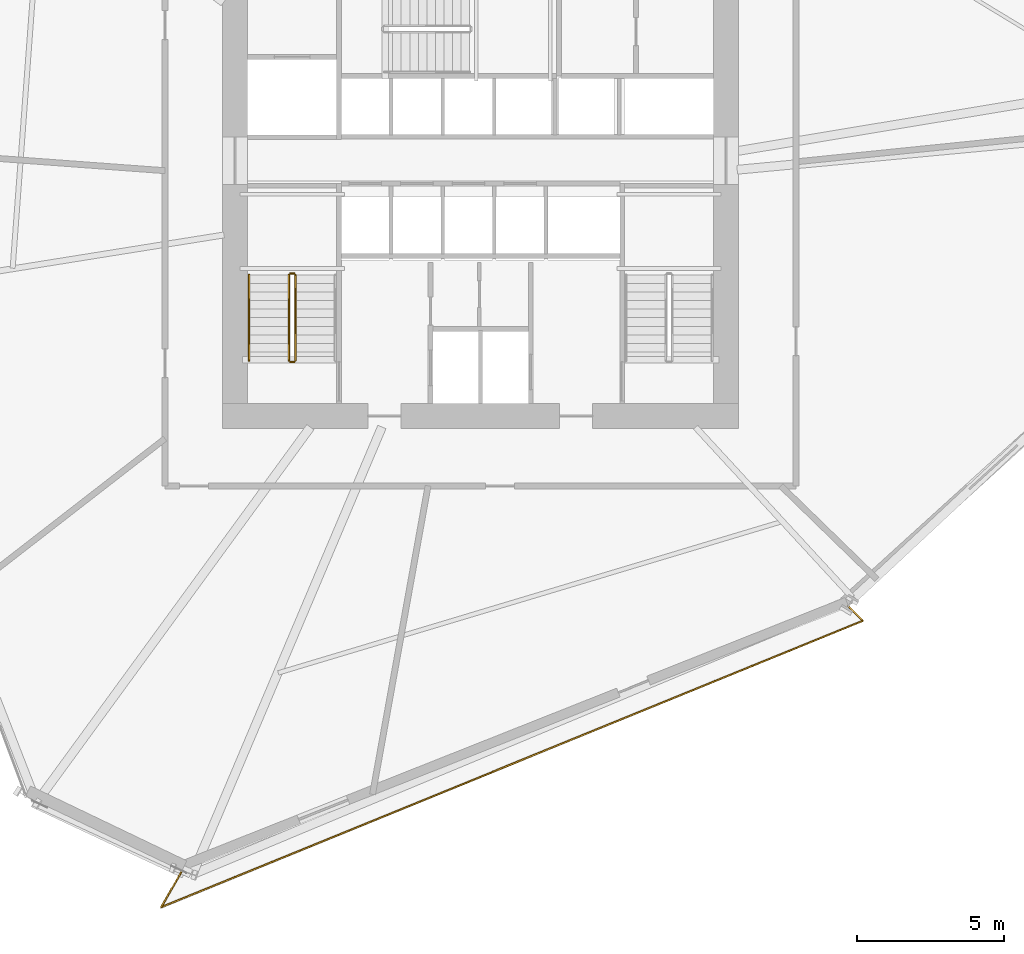
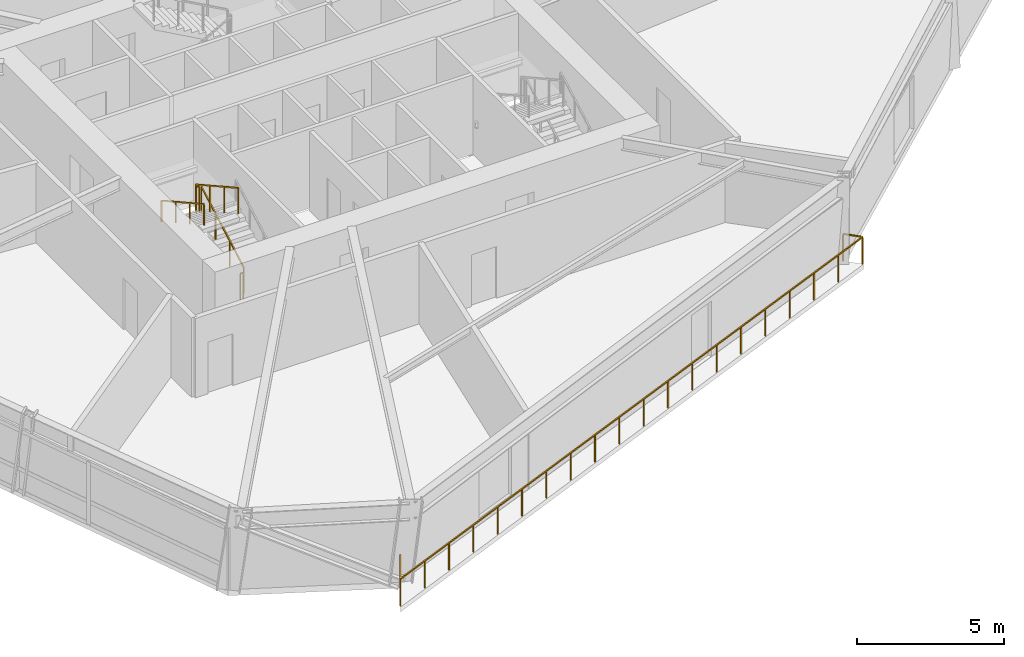
# One storey, part 18 of 21: 6 railings.
"""IFC4 building model written with IfcOpenShell, lengths in metres."""

from ifc_helpers import new_model, si_unit, direction, frame, origin, origin_2d, place, context, subcontext, project, spatial, rectangle, extrude, material, type_object, element, save


model = new_model("IFC4")

# Units and contexts
model_context = context("Model", 3, precision=1e-05, world=origin(), true_north=direction((0.0, 1.0)))
body_context = subcontext(model_context, "Body", "Model", "MODEL_VIEW")
ifc_project = project(units=[si_unit("LENGTHUNIT", "METRE"), si_unit("AREAUNIT", "SQUARE_METRE"), si_unit("VOLUMEUNIT", "CUBIC_METRE"), si_unit("PLANEANGLEUNIT", "RADIAN"), si_unit("MASSUNIT", "GRAM", prefix="KILO")], contexts=[model_context])

# Site, building, storey
site_placement = place(None, origin())
site = spatial("IfcSite", under=ifc_project, at=site_placement, CompositionType="ELEMENT")
building_placement = place(site_placement, origin())
building = spatial("IfcBuilding", under=site, at=building_placement, Name="Olszyna Solenne Hotel", CompositionType="ELEMENT")
storey_placement = place(building_placement, frame((0.0, 0.0, 68.35009765625)))
storey = spatial("IfcBuildingStorey", under=building, at=storey_placement, Name="L17", CompositionType="ELEMENT", Elevation=68.35009765625)

# Railings
ifc_material_1 = material(Name="Anodised bronze aluminium", Category="aluminium")
railing_type_1 = type_object("IfcRailingType", Name="GR-110", PredefinedType="BALUSTRADE", material=ifc_material_1)
railing_1_placement = place(storey_placement, frame((27.87451171875, 3.642578125, 0.0)))
element("IfcRailing", 1, at=railing_1_placement, inside=storey, type_object=railing_type_1, Name="Loggia balcony balustrade guard GR-L17-LG3", PredefinedType="BALUSTRADE", context=body_context, shape_type="SweptSolid", body=[
    extrude(rectangle(XDim=0.048095703125, YDim=0.048095703125, at=origin_2d()), frame((0.0, 0.0, 1.1259765625), z_axis=(-0.496157471835, -0.868232551303, 0.0), x_axis=(0.868232551303, -0.496157471835, 0.0)), (0.0, 0.0, 1.0), 1.418701171875),
    extrude(rectangle(XDim=0.048095703125, YDim=0.048095703125, at=origin_2d()), frame((-0.703857421875, -1.231689453125, 1.1259765625), z_axis=(0.925778026906, 0.378067513677, 0.0), x_axis=(-0.378067513677, 0.925778026906, 0.0)), (0.0, 0.0, 1.0), 25.697265625),
    extrude(rectangle(XDim=0.048095703125, YDim=0.048095703125, at=origin_2d()), frame((23.086181640625, 8.483642578125, 1.1259765625), z_axis=(-0.703024177623, 0.711165948058, 0.0), x_axis=(-0.711165948058, -0.703024177623, 0.0)), (0.0, 0.0, 1.0), 0.689697265625),
    extrude(rectangle(XDim=0.0419921875, YDim=0.0419921875, at=origin_2d()), origin(), (0.0, 0.0, 1.0), 1.101806640625),
    extrude(rectangle(XDim=0.0419921875, YDim=0.0419921875, at=origin_2d()), frame((-0.35205078125, -0.61572265625, 0.0)), (0.0, 0.0, 1.0), 1.101806640625),
    extrude(rectangle(XDim=0.0419921875, YDim=0.0419921875, at=origin_2d()), frame((-0.703857421875, -1.231689453125, 0.0)), (0.0, 0.0, 1.0), 1.101806640625),
    extrude(rectangle(XDim=0.0419921875, YDim=0.0419921875, at=origin_2d()), frame((0.54833984375, -0.720458984375, 0.0)), (0.0, 0.0, 1.0), 1.101806640625),
    extrude(rectangle(XDim=0.0419921875, YDim=0.0419921875, at=origin_2d()), frame((1.80029296875, -0.208984375, 0.0)), (0.0, 0.0, 1.0), 1.101806640625),
    extrude(rectangle(XDim=0.0419921875, YDim=0.0419921875, at=origin_2d()), frame((3.052490234375, 0.30224609375, 0.0)), (0.0, 0.0, 1.0), 1.101806640625),
    extrude(rectangle(XDim=0.0419921875, YDim=0.0419921875, at=origin_2d()), frame((4.3046875, 0.813720703125, 0.0)), (0.0, 0.0, 1.0), 1.101806640625),
    extrude(rectangle(XDim=0.0419921875, YDim=0.0419921875, at=origin_2d()), frame((5.556640625, 1.324951171875, 0.0)), (0.0, 0.0, 1.0), 1.101806640625),
    extrude(rectangle(XDim=0.0419921875, YDim=0.0419921875, at=origin_2d()), frame((6.808837890625, 1.83642578125, 0.0)), (0.0, 0.0, 1.0), 1.101806640625),
    extrude(rectangle(XDim=0.0419921875, YDim=0.0419921875, at=origin_2d()), frame((8.060791015625, 2.34765625, 0.0)), (0.0, 0.0, 1.0), 1.101806640625),
    extrude(rectangle(XDim=0.0419921875, YDim=0.0419921875, at=origin_2d()), frame((9.31298828125, 2.85888671875, 0.0)), (0.0, 0.0, 1.0), 1.101806640625),
    extrude(rectangle(XDim=0.0419921875, YDim=0.0419921875, at=origin_2d()), frame((10.565185546875, 3.370361328125, 0.0)), (0.0, 0.0, 1.0), 1.101806640625),
    extrude(rectangle(XDim=0.0419921875, YDim=0.0419921875, at=origin_2d()), frame((11.817138671875, 3.881591796875, 0.0)), (0.0, 0.0, 1.0), 1.101806640625),
    extrude(rectangle(XDim=0.0419921875, YDim=0.0419921875, at=origin_2d()), frame((13.0693359375, 4.39306640625, 0.0)), (0.0, 0.0, 1.0), 1.101806640625),
    extrude(rectangle(XDim=0.0419921875, YDim=0.0419921875, at=origin_2d()), frame((14.321533203125, 4.904296875, 0.0)), (0.0, 0.0, 1.0), 1.101806640625),
    extrude(rectangle(XDim=0.0419921875, YDim=0.0419921875, at=origin_2d()), frame((15.573486328125, 5.41552734375, 0.0)), (0.0, 0.0, 1.0), 1.101806640625),
    extrude(rectangle(XDim=0.0419921875, YDim=0.0419921875, at=origin_2d()), frame((16.82568359375, 5.927001953125, 0.0)), (0.0, 0.0, 1.0), 1.101806640625),
    extrude(rectangle(XDim=0.0419921875, YDim=0.0419921875, at=origin_2d()), frame((18.07763671875, 6.438232421875, 0.0)), (0.0, 0.0, 1.0), 1.101806640625),
    extrude(rectangle(XDim=0.0419921875, YDim=0.0419921875, at=origin_2d()), frame((19.329833984375, 6.94970703125, 0.0)), (0.0, 0.0, 1.0), 1.101806640625),
    extrude(rectangle(XDim=0.0419921875, YDim=0.0419921875, at=origin_2d()), frame((20.58203125, 7.4609375, 0.0)), (0.0, 0.0, 1.0), 1.101806640625),
    extrude(rectangle(XDim=0.0419921875, YDim=0.0419921875, at=origin_2d()), frame((21.833984375, 7.972412109375, 0.0)), (0.0, 0.0, 1.0), 1.101806640625),
    extrude(rectangle(XDim=0.0419921875, YDim=0.0419921875, at=origin_2d()), frame((23.086181640625, 8.483642578125, 0.0)), (0.0, 0.0, 1.0), 1.101806640625),
    extrude(rectangle(XDim=0.0419921875, YDim=0.0419921875, at=origin_2d()), frame((22.601318359375, 8.97412109375, 0.0)), (0.0, 0.0, 1.0), 1.101806640625),
])
railing_2_placement = place(storey_placement, frame((31.719970703125, 20.949951171875, 0.161376953125)))
element("IfcRailing", 2, at=railing_2_placement, inside=storey, type_object=railing_type_1, Name="L17 ST1 stair guard 1", PredefinedType="BALUSTRADE", context=body_context, shape_type="SweptSolid", body=[
    extrude(rectangle(XDim=0.048095703125, YDim=0.048095703125, at=origin_2d()), frame((0.0, 0.0, 1.076171875), z_axis=(0.0, 0.873858693841, 0.486179990537), x_axis=(-1.0, 0.0, 0.0)), (0.0, 0.0, 1.0), 3.31884765625),
    extrude(rectangle(XDim=0.0419921875, YDim=0.0419921875, at=origin_2d()), origin(), (0.0, 0.0, 1.0), 1.052001953125),
    extrude(rectangle(XDim=0.0419921875, YDim=0.0419921875, at=origin_2d()), frame((0.0, 0.966796875, 0.537841796875)), (0.0, 0.0, 1.0), 1.052001953125),
    extrude(rectangle(XDim=0.0419921875, YDim=0.0419921875, at=origin_2d()), frame((0.0, 1.933349609375, 1.07568359375)), (0.0, 0.0, 1.0), 1.052001953125),
    extrude(rectangle(XDim=0.0419921875, YDim=0.0419921875, at=origin_2d()), frame((0.0, 2.900146484375, 1.613525390625)), (0.0, 0.0, 1.0), 1.052001953125),
])
railing_3_placement = place(storey_placement, frame((31.669921875, 23.89990234375, 1.77490234375)))
element("IfcRailing", 3, at=railing_3_placement, inside=storey, type_object=railing_type_1, Name="L17 ST1 stair guard 2", PredefinedType="BALUSTRADE", context=body_context, shape_type="SweptSolid", body=[
    extrude(rectangle(XDim=0.048095703125, YDim=0.048095703125, at=origin_2d()), frame((0.0, 0.0, 1.076171875), z_axis=(-1.0, 0.0, 0.0), x_axis=(0.0, -1.0, 0.0)), (0.0, 0.0, 1.0), 0.119873046875),
    extrude(rectangle(XDim=0.0419921875, YDim=0.0419921875, at=origin_2d()), origin(), (0.0, 0.0, 1.0), 1.052001953125),
    extrude(rectangle(XDim=0.0419921875, YDim=0.0419921875, at=origin_2d()), frame((-0.119873046875, 0.0, 0.0)), (0.0, 0.0, 1.0), 1.052001953125),
])
railing_4_placement = place(storey_placement, frame((31.5, 23.85009765625, 1.936279296875)))
element("IfcRailing", 4, at=railing_4_placement, inside=storey, type_object=railing_type_1, Name="L17 ST1 stair guard 3", PredefinedType="BALUSTRADE", context=body_context, shape_type="SweptSolid", body=[
    extrude(rectangle(XDim=0.048095703125, YDim=0.048095703125, at=origin_2d()), frame((0.0, 0.0, 1.076171875), z_axis=(0.0, -0.873858693841, 0.486179990537), x_axis=(1.0, 0.0, 0.0)), (0.0, 0.0, 1.0), 3.31884765625),
    extrude(rectangle(XDim=0.0419921875, YDim=0.0419921875, at=origin_2d()), origin(), (0.0, 0.0, 1.0), 1.052001953125),
    extrude(rectangle(XDim=0.0419921875, YDim=0.0419921875, at=origin_2d()), frame((0.0, -0.966796875, 0.537841796875)), (0.0, 0.0, 1.0), 1.052001953125),
    extrude(rectangle(XDim=0.0419921875, YDim=0.0419921875, at=origin_2d()), frame((0.0, -1.933349609375, 1.07568359375)), (0.0, 0.0, 1.0), 1.052001953125),
    extrude(rectangle(XDim=0.0419921875, YDim=0.0419921875, at=origin_2d()), frame((0.0, -2.900146484375, 1.613525390625)), (0.0, 0.0, 1.0), 1.052001953125),
])
railing_5_placement = place(storey_placement, frame((31.669921875, 20.89990234375, 0.0)))
element("IfcRailing", 5, at=railing_5_placement, inside=storey, type_object=railing_type_1, Name="L17 ST1 stair guard 4", PredefinedType="BALUSTRADE", context=body_context, shape_type="SweptSolid", body=[
    extrude(rectangle(XDim=0.048095703125, YDim=0.048095703125, at=origin_2d()), frame((0.0, 0.0, 1.076171875), z_axis=(-1.0, 0.0, 0.0), x_axis=(0.0, -1.0, 0.0)), (0.0, 0.0, 1.0), 0.119873046875),
    extrude(rectangle(XDim=0.0419921875, YDim=0.0419921875, at=origin_2d()), origin(), (0.0, 0.0, 1.0), 1.052001953125),
    extrude(rectangle(XDim=0.0419921875, YDim=0.0419921875, at=origin_2d()), frame((-0.119873046875, 0.0, 0.0)), (0.0, 0.0, 1.0), 1.052001953125),
])
ifc_material_2 = material(Name="Steel S355J2", Category="steel")
railing_type_2 = type_object("IfcRailingType", Name="HR-090", PredefinedType="HANDRAIL", material=ifc_material_2)
railing_6_placement = place(storey_placement, frame((30.14990234375, 23.85009765625, 1.936279296875)))
element("IfcRailing", 6, at=railing_6_placement, inside=storey, type_object=railing_type_2, Name="L17 ST1 stair handrail 2", PredefinedType="HANDRAIL", context=body_context, shape_type="SweptSolid", body=[
    extrude(rectangle(XDim=0.048095703125, YDim=0.048095703125, at=origin_2d()), frame((0.0, 0.0, 0.8759765625), z_axis=(0.0, -0.873858693841, 0.486179990537), x_axis=(1.0, 0.0, 0.0)), (0.0, 0.0, 1.0), 3.31884765625),
    extrude(rectangle(XDim=0.0419921875, YDim=0.0419921875, at=origin_2d()), origin(), (0.0, 0.0, 1.0), 0.851806640625),
    extrude(rectangle(XDim=0.0419921875, YDim=0.0419921875, at=origin_2d()), frame((0.0, -0.966796875, 0.537841796875)), (0.0, 0.0, 1.0), 0.851806640625),
    extrude(rectangle(XDim=0.0419921875, YDim=0.0419921875, at=origin_2d()), frame((0.0, -1.933349609375, 1.07568359375)), (0.0, 0.0, 1.0), 0.851806640625),
    extrude(rectangle(XDim=0.0419921875, YDim=0.0419921875, at=origin_2d()), frame((0.0, -2.900146484375, 1.613525390625)), (0.0, 0.0, 1.0), 0.851806640625),
])

save(model, "model.ifc")
